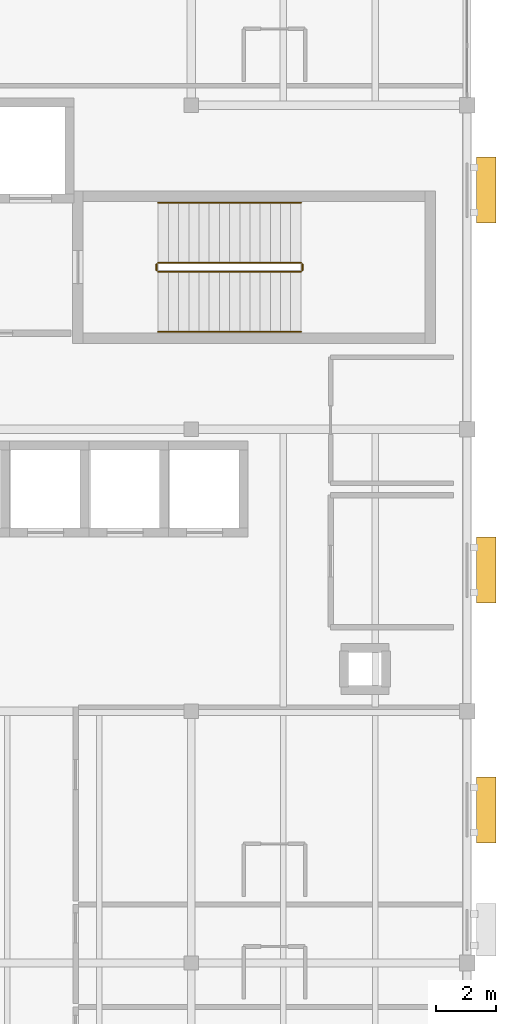
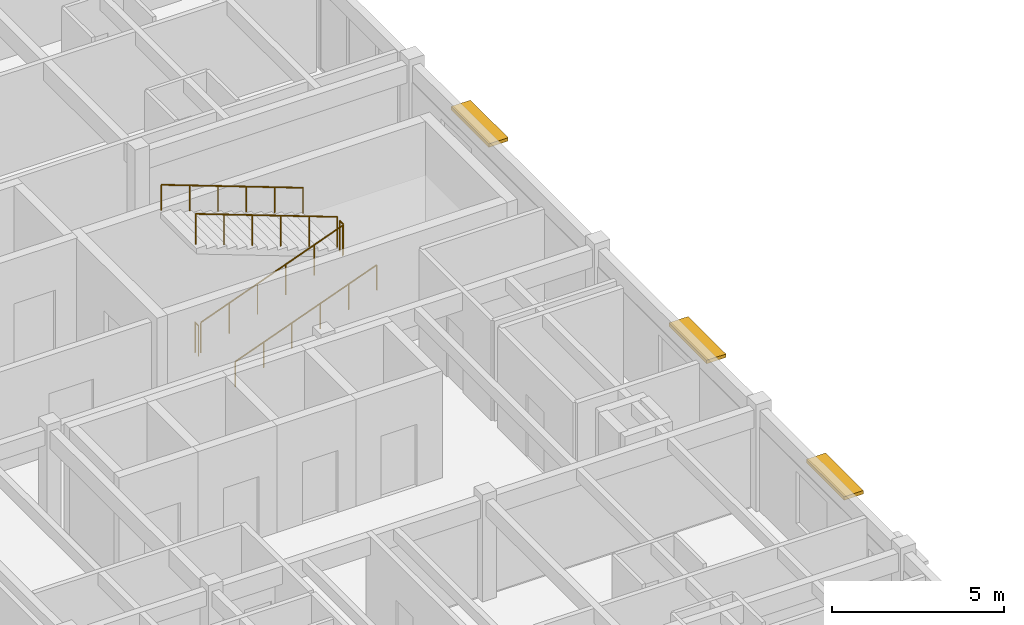
# One storey, part 21 of 22: 6 railings, 3 shading devices.
"""IFC4 building model written with IfcOpenShell, lengths in metres."""

import ifcopenshell
import ifcopenshell.guid

model = None  # the IFC model being written
_history = None  # IfcOwnerHistory: only IFC2X3 demands one
_inside = {}  # id of a spatial element -> (the spatial element, [elements in it])
_under = {}  # id of a project, library or spatial element -> (it, [spatial elements below it])
_declared = {}  # id of a project -> (the project, [libraries it declares])
_typed = {}  # id of a type object -> (the type object, [elements of that type])
_made_of = {}  # id of a material, layer set ... -> (it, [elements and type objects made of it])


def new_model(schema):
    """Start an empty IFC model of exactly this schema.

    Asked for "IFC4X3", IfcOpenShell would pick the latest addendum, in which some entities
    have other attributes; the version numbers below select the first issue.
    IFC2X3 requires an IfcOwnerHistory on every rooted entity: one is made here for all.
    """
    global model, _history
    if schema == "IFC4X3":
        model = ifcopenshell.file(schema_version=(4, 3, 0, 0))
    else:
        model = ifcopenshell.file(schema=schema)
    _inside.clear()
    _under.clear()
    _declared.clear()
    _typed.clear()
    _made_of.clear()
    _history = None
    if model.schema == "IFC2X3":
        org = make("IfcOrganization", Name="unknown")
        user = make(
            "IfcPersonAndOrganization",
            ThePerson=make("IfcPerson", FamilyName="unknown"),
            TheOrganization=org,
        )
        app = make(
            "IfcApplication",
            ApplicationDeveloper=org,
            Version="unknown",
            ApplicationFullName="unknown",
            ApplicationIdentifier="unknown",
        )
        _history = make(
            "IfcOwnerHistory",
            OwningUser=user,
            OwningApplication=app,
            ChangeAction="ADDED",
            CreationDate=0,
        )
    return model


def make(cls, **values):
    """One entity of the class cls with the attributes given. An attribute that is None is left unset."""
    return model.create_entity(
        cls, **{name: value for name, value in values.items() if value is not None}
    )


def rooted(cls, **values):
    """An entity with a GlobalId (a new one), such as an element, a storey or a relation."""
    return make(cls, GlobalId=ifcopenshell.guid.new(), OwnerHistory=_history, **values)


def si_unit(unit_type, name, prefix=None):
    """IfcSIUnit, for example si_unit("LENGTHUNIT", "METRE", prefix="MILLI")."""
    return make("IfcSIUnit", UnitType=unit_type, Prefix=prefix, Name=name)


def assignment(units):
    """IfcUnitAssignment: the units of a project."""
    return None if units is None else make("IfcUnitAssignment", Units=units)


def point(xyz):
    """IfcCartesianPoint."""
    return None if xyz is None else make("IfcCartesianPoint", Coordinates=xyz)


def direction(xyz):
    """IfcDirection."""
    return None if xyz is None else make("IfcDirection", DirectionRatios=xyz)


def frame(location, z_axis=None, x_axis=None):
    """IfcAxis2Placement3D, a coordinate frame: its origin and axes. An axis left out is left unset."""
    return make(
        "IfcAxis2Placement3D",
        Location=point(location),
        Axis=direction(z_axis),
        RefDirection=direction(x_axis),
    )


def frame_2d(location, x_axis=None):
    """IfcAxis2Placement2D, a coordinate frame in the plane: its origin and x axis."""
    return make(
        "IfcAxis2Placement2D", Location=point(location), RefDirection=direction(x_axis)
    )


def origin():
    """The frame at (0, 0, 0) with its axes left unset."""
    return frame((0.0, 0.0, 0.0))


def origin_2d():
    """The frame at (0, 0) in the plane with its x axis left unset."""
    return frame_2d((0.0, 0.0))


def place(relative_to, where):
    """IfcLocalPlacement: puts the frame where relative to a parent placement (None: the world)."""
    return make(
        "IfcLocalPlacement", PlacementRelTo=relative_to, RelativePlacement=where
    )


def context(
    kind, dimensions, precision=None, world=None, true_north=None, identifier=None
):
    """IfcGeometricRepresentationContext, for example the 3D "Model" context."""
    return make(
        "IfcGeometricRepresentationContext",
        ContextIdentifier=identifier,
        ContextType=kind,
        CoordinateSpaceDimension=dimensions,
        Precision=precision,
        WorldCoordinateSystem=world,
        TrueNorth=true_north,
    )


def subcontext(parent, identifier, kind, view, scale=None):
    """IfcGeometricRepresentationSubContext, for example "Body" below "Model"."""
    return make(
        "IfcGeometricRepresentationSubContext",
        ContextIdentifier=identifier,
        ContextType=kind,
        ParentContext=parent,
        TargetScale=scale,
        TargetView=view,
    )


def project(units=None, contexts=None):
    """IfcProject with its units and contexts."""
    return rooted(
        "IfcProject",
        Name="project",
        RepresentationContexts=contexts,
        UnitsInContext=assignment(units),
    )


def spatial(cls, under=None, at=None, **own):
    """A site, building, storey or space (cls), placed at a placement, below another one or the project."""
    s = rooted(cls, ObjectPlacement=at, **own)
    if under is not None:
        _under.setdefault(under.id(), (under, []))[1].append(s)
    return s


def profile(cls, at=None, kind="AREA", **sizes):
    """A parametric profile (cls). Its sizes go by their IFC names, for example OverallWidth=200.0."""
    return make(cls, ProfileType=kind, Position=at, **sizes)


def rectangle(**sizes):
    """IfcRectangleProfileDef."""
    return profile("IfcRectangleProfileDef", **sizes)


def circle(**sizes):
    """IfcCircleProfileDef."""
    return profile("IfcCircleProfileDef", **sizes)


def extrude(swept, where, along, depth):
    """IfcExtrudedAreaSolid: the profile swept, set in the frame where, extruded along a direction by depth."""
    return make(
        "IfcExtrudedAreaSolid",
        SweptArea=swept,
        Position=where,
        ExtrudedDirection=direction(along),
        Depth=depth,
    )


def shape(context_of_items, identifier, shape_type, items):
    """IfcShapeRepresentation: the items that make up one representation, for example the "Body"."""
    return make(
        "IfcShapeRepresentation",
        ContextOfItems=context_of_items,
        RepresentationIdentifier=identifier,
        RepresentationType=shape_type,
        Items=items,
    )


def material(Name=None, Category=None):
    """IfcMaterial."""
    return make("IfcMaterial", Name=Name, Category=Category)


def made_of(thing, what):
    """Note that an element or type object is made of a material, layer set ...; save() writes the relation."""
    if what is not None:
        _made_of.setdefault(what.id(), (what, []))[1].append(thing)
    return thing


def type_object(cls, material=None, **own):
    """A type object (cls), such as IfcWallType, which elements share."""
    return made_of(rooted(cls, **own), material)


def element(
    cls,
    number,
    at=None,
    inside=None,
    cuts=None,
    type_object=None,
    material=None,
    context=None,
    identifier="Body",
    shape_type=None,
    held_by="IfcProductDefinitionShape",
    body=None,
    shapes=None,
    **own,
):
    """One element of the class cls, such as IfcWall. Its Tag is "e" and its number.

    at: its placement. inside: the storey or other place that contains it. cuts: it is an
    opening in that element (IfcRelVoidsElement). A single representation is given by context,
    identifier, shape_type and body (its items); several are given by shapes. held_by: the class
    of the entity that holds the representations. save() writes the other relations.
    """
    e = rooted(cls, Tag="e%d" % number, ObjectPlacement=at, **own)
    if body is not None:
        shapes = [shape(context, identifier, shape_type, body)]
    if shapes is not None:
        e.Representation = make(held_by, Representations=shapes)
    if inside is not None:
        _inside.setdefault(inside.id(), (inside, []))[1].append(e)
    if cuts is not None:
        rooted(
            "IfcRelVoidsElement", RelatingBuildingElement=cuts, RelatedOpeningElement=e
        )
    if type_object is not None:
        _typed.setdefault(type_object.id(), (type_object, []))[1].append(e)
    return made_of(e, material)


def aggregate(whole, parts):
    """IfcRelAggregates: a whole, such as a stair, and the parts it consists of."""
    return rooted("IfcRelAggregates", RelatingObject=whole, RelatedObjects=parts)


def save(model, path):
    """Write the relations noted so far, then the file.

    IfcRelAggregates (storeys below a building ...), IfcRelContainedInSpatialStructure (elements
    in a storey), IfcRelDefinesByType, IfcRelAssociatesMaterial and IfcRelDeclares: one each for
    every whole, place, type object, material and project.
    """
    for whole, parts in _under.values():
        aggregate(whole, parts)
    for where, things in _inside.values():
        rooted(
            "IfcRelContainedInSpatialStructure",
            RelatedElements=things,
            RelatingStructure=where,
        )
    for kind, things in _typed.values():
        rooted("IfcRelDefinesByType", RelatedObjects=things, RelatingType=kind)
    for what, things in _made_of.values():
        rooted("IfcRelAssociatesMaterial", RelatedObjects=things, RelatingMaterial=what)
    for by, libraries in _declared.values():
        rooted("IfcRelDeclares", RelatingContext=by, RelatedDefinitions=libraries)
    model.write(path)


model = new_model("IFC4")

# Units and contexts
model_context = context("Model", 3, precision=1e-05, world=origin(), true_north=direction((0.0, 1.0)))
body_context = subcontext(model_context, "Body", "Model", "MODEL_VIEW")
ifc_project = project(units=[si_unit("LENGTHUNIT", "METRE"), si_unit("AREAUNIT", "SQUARE_METRE"), si_unit("VOLUMEUNIT", "CUBIC_METRE"), si_unit("PLANEANGLEUNIT", "RADIAN"), si_unit("MASSUNIT", "GRAM", prefix="KILO")], contexts=[model_context])

# Site, building, storey
site_placement = place(None, origin())
site = spatial("IfcSite", under=ifc_project, at=site_placement, CompositionType="ELEMENT")
building_placement = place(site_placement, origin())
building = spatial("IfcBuilding", under=site, at=building_placement, Name="Veldera Park Congress Hotel", CompositionType="ELEMENT")
storey_placement = place(building_placement, frame((0.0, 0.0, 23.800048828125)))
storey = spatial("IfcBuildingStorey", under=building, at=storey_placement, Name="L05", CompositionType="ELEMENT", Elevation=23.800048828125)

# Railings
ifc_material_1 = material(Name="Steel ASTM A992 Gr.50", Category="steel")
railing_type_1 = type_object("IfcRailingType", Name="GRD-ST110", PredefinedType="GUARDRAIL", material=ifc_material_1)
railing_1_placement = place(storey_placement, frame((73.699951171875, 41.64990234375, 0.126708984375)))
element("IfcRailing", 1, at=railing_1_placement, inside=storey, type_object=railing_type_1, Name="L05 ST1 stair guard 1", PredefinedType="GUARDRAIL", context=body_context, shape_type="SweptSolid", body=[
    extrude(circle(Radius=0.02392578125, at=origin_2d()), frame((0.0, 0.0, 1.076171875), z_axis=(0.937091363699, 0.0, 0.349084196263), x_axis=(0.0, 1.0, 0.0)), (0.0, 0.0, 1.0), 5.07958984375),
    extrude(circle(Radius=0.02099609375, at=origin_2d()), origin(), (0.0, 0.0, 1.0), 1.052001953125),
    extrude(circle(Radius=0.02099609375, at=origin_2d()), frame((0.951904296875, 0.0, 0.354736328125)), (0.0, 0.0, 1.0), 1.052001953125),
    extrude(circle(Radius=0.02099609375, at=origin_2d()), frame((1.904052734375, 0.0, 0.709228515625)), (0.0, 0.0, 1.0), 1.052001953125),
    extrude(circle(Radius=0.02099609375, at=origin_2d()), frame((2.85595703125, 0.0, 1.06396484375)), (0.0, 0.0, 1.0), 1.052001953125),
    extrude(circle(Radius=0.02099609375, at=origin_2d()), frame((3.80810546875, 0.0, 1.41845703125)), (0.0, 0.0, 1.0), 1.052001953125),
    extrude(circle(Radius=0.02099609375, at=origin_2d()), frame((4.760009765625, 0.0, 1.773193359375)), (0.0, 0.0, 1.0), 1.052001953125),
])
railing_2_placement = place(storey_placement, frame((78.510009765625, 41.699951171875, 1.89990234375)))
element("IfcRailing", 2, at=railing_2_placement, inside=storey, type_object=railing_type_1, Name="L05 ST1 stair guard 2", PredefinedType="GUARDRAIL", context=body_context, shape_type="SweptSolid", body=[
    extrude(circle(Radius=0.02392578125, at=origin_2d()), frame((0.0, 0.0, 1.076171875), z_axis=(0.0, 1.0, 0.0), x_axis=(-1.0, 0.0, 0.0)), (0.0, 0.0, 1.0), 0.199951171875),
    extrude(circle(Radius=0.02099609375, at=origin_2d()), origin(), (0.0, 0.0, 1.0), 1.052001953125),
    extrude(circle(Radius=0.02099609375, at=origin_2d()), frame((0.0, 0.199951171875, 0.0)), (0.0, 0.0, 1.0), 1.052001953125),
])
railing_3_placement = place(storey_placement, frame((78.4599609375, 41.949951171875, 2.026611328125)))
element("IfcRailing", 3, at=railing_3_placement, inside=storey, type_object=railing_type_1, Name="L05 ST1 stair guard 3", PredefinedType="GUARDRAIL", context=body_context, shape_type="SweptSolid", body=[
    extrude(circle(Radius=0.02392578125, at=origin_2d()), frame((0.0, 0.0, 1.076171875), z_axis=(-0.937075640343, 0.0, 0.349126401572), x_axis=(0.0, -1.0, 0.0)), (0.0, 0.0, 1.0), 5.07958984375),
    extrude(circle(Radius=0.02099609375, at=origin_2d()), origin(), (0.0, 0.0, 1.0), 1.052001953125),
    extrude(circle(Radius=0.02099609375, at=origin_2d()), frame((-0.951904296875, 0.0, 0.354736328125)), (0.0, 0.0, 1.0), 1.052001953125),
    extrude(circle(Radius=0.02099609375, at=origin_2d()), frame((-1.904052734375, 0.0, 0.70947265625)), (0.0, 0.0, 1.0), 1.052001953125),
    extrude(circle(Radius=0.02099609375, at=origin_2d()), frame((-2.85595703125, 0.0, 1.06396484375)), (0.0, 0.0, 1.0), 1.052001953125),
    extrude(circle(Radius=0.02099609375, at=origin_2d()), frame((-3.80810546875, 0.0, 1.418701171875)), (0.0, 0.0, 1.0), 1.052001953125),
    extrude(circle(Radius=0.02099609375, at=origin_2d()), frame((-4.760009765625, 0.0, 1.7734375)), (0.0, 0.0, 1.0), 1.052001953125),
])
railing_4_placement = place(storey_placement, frame((73.64990234375, 41.699951171875, 0.0)))
element("IfcRailing", 4, at=railing_4_placement, inside=storey, type_object=railing_type_1, Name="L05 ST1 stair guard 4", PredefinedType="GUARDRAIL", context=body_context, shape_type="SweptSolid", body=[
    extrude(circle(Radius=0.02392578125, at=origin_2d()), frame((0.0, 0.0, 1.076171875), z_axis=(0.0, 1.0, 0.0), x_axis=(-1.0, 0.0, 0.0)), (0.0, 0.0, 1.0), 0.199951171875),
    extrude(circle(Radius=0.02099609375, at=origin_2d()), origin(), (0.0, 0.0, 1.0), 1.052001953125),
    extrude(circle(Radius=0.02099609375, at=origin_2d()), frame((0.0, 0.199951171875, 0.0)), (0.0, 0.0, 1.0), 1.052001953125),
])
railing_type_2 = type_object("IfcRailingType", Name="HRL-920", PredefinedType="HANDRAIL", material=ifc_material_1)
railing_5_placement = place(storey_placement, frame((73.699951171875, 39.64990234375, 0.126708984375)))
element("IfcRailing", 5, at=railing_5_placement, inside=storey, type_object=railing_type_2, Name="L05 ST1 stair handrail 1", PredefinedType="HANDRAIL", context=body_context, shape_type="SweptSolid", body=[
    extrude(circle(Radius=0.02392578125, at=origin_2d()), frame((0.0, 0.0, 0.89599609375), z_axis=(0.937091363699, 0.0, 0.349084196263), x_axis=(0.0, 1.0, 0.0)), (0.0, 0.0, 1.0), 5.07958984375),
    extrude(circle(Radius=0.02099609375, at=origin_2d()), origin(), (0.0, 0.0, 1.0), 0.871826171875),
    extrude(circle(Radius=0.02099609375, at=origin_2d()), frame((0.951904296875, 0.0, 0.354736328125)), (0.0, 0.0, 1.0), 0.871826171875),
    extrude(circle(Radius=0.02099609375, at=origin_2d()), frame((1.904052734375, 0.0, 0.709228515625)), (0.0, 0.0, 1.0), 0.871826171875),
    extrude(circle(Radius=0.02099609375, at=origin_2d()), frame((2.85595703125, 0.0, 1.06396484375)), (0.0, 0.0, 1.0), 0.871826171875),
    extrude(circle(Radius=0.02099609375, at=origin_2d()), frame((3.80810546875, 0.0, 1.41845703125)), (0.0, 0.0, 1.0), 0.871826171875),
    extrude(circle(Radius=0.02099609375, at=origin_2d()), frame((4.760009765625, 0.0, 1.773193359375)), (0.0, 0.0, 1.0), 0.871826171875),
])
railing_6_placement = place(storey_placement, frame((78.4599609375, 43.949951171875, 2.026611328125)))
element("IfcRailing", 6, at=railing_6_placement, inside=storey, type_object=railing_type_2, Name="L05 ST1 stair handrail 2", PredefinedType="HANDRAIL", context=body_context, shape_type="SweptSolid", body=[
    extrude(circle(Radius=0.02392578125, at=origin_2d()), frame((0.0, 0.0, 0.89599609375), z_axis=(-0.937075640343, 0.0, 0.349126401572), x_axis=(0.0, -1.0, 0.0)), (0.0, 0.0, 1.0), 5.07958984375),
    extrude(circle(Radius=0.02099609375, at=origin_2d()), origin(), (0.0, 0.0, 1.0), 0.871826171875),
    extrude(circle(Radius=0.02099609375, at=origin_2d()), frame((-0.951904296875, 0.0, 0.354736328125)), (0.0, 0.0, 1.0), 0.871826171875),
    extrude(circle(Radius=0.02099609375, at=origin_2d()), frame((-1.904052734375, 0.0, 0.70947265625)), (0.0, 0.0, 1.0), 0.871826171875),
    extrude(circle(Radius=0.02099609375, at=origin_2d()), frame((-2.85595703125, 0.0, 1.06396484375)), (0.0, 0.0, 1.0), 0.871826171875),
    extrude(circle(Radius=0.02099609375, at=origin_2d()), frame((-3.80810546875, 0.0, 1.418701171875)), (0.0, 0.0, 1.0), 0.871826171875),
    extrude(circle(Radius=0.02099609375, at=origin_2d()), frame((-4.760009765625, 0.0, 1.7734375)), (0.0, 0.0, 1.0), 0.871826171875),
])

# Shading devices
ifc_material_2 = material(Name="Glulam GL28h (NDS 24F-V4)", Category="wood")
shading_device_type = type_object("IfcShadingDeviceType", Name="SHD-LVR300", PredefinedType="JALOUSIE", material=ifc_material_2)
for number, where, z_axis, x_axis, name in (
    (7, (84.635009765625, 31.699951171875, 2.719970703125), (0.0, 0.0, 1.0), (0.0, 1.0, 0.0), "Glulam Solar Shade 160"),
    (8, (84.635009765625, 44.37109375, 2.719970703125), (0.0, 0.0, 1.0), (0.0, 1.0, 0.0), "Glulam Solar Shade 161"),
    (9, (84.635009765625, 23.7060546875, 2.719970703125), (0.0, 0.0, 1.0), (0.0, 1.0, 0.0), "Glulam Solar Shade 423"),
):
    element("IfcShadingDevice", number, at=place(storey_placement, frame(where, z_axis=z_axis, x_axis=x_axis)), inside=storey, type_object=shading_device_type, Name=name, PredefinedType="JALOUSIE", context=body_context, shape_type="SweptSolid", body=[
        extrude(rectangle(XDim=2.199951171875, YDim=0.64990234375, at=origin_2d()), origin(), (0.0, 0.0, 1.0), 0.1201171875),
    ])

save(model, "model.ifc")
